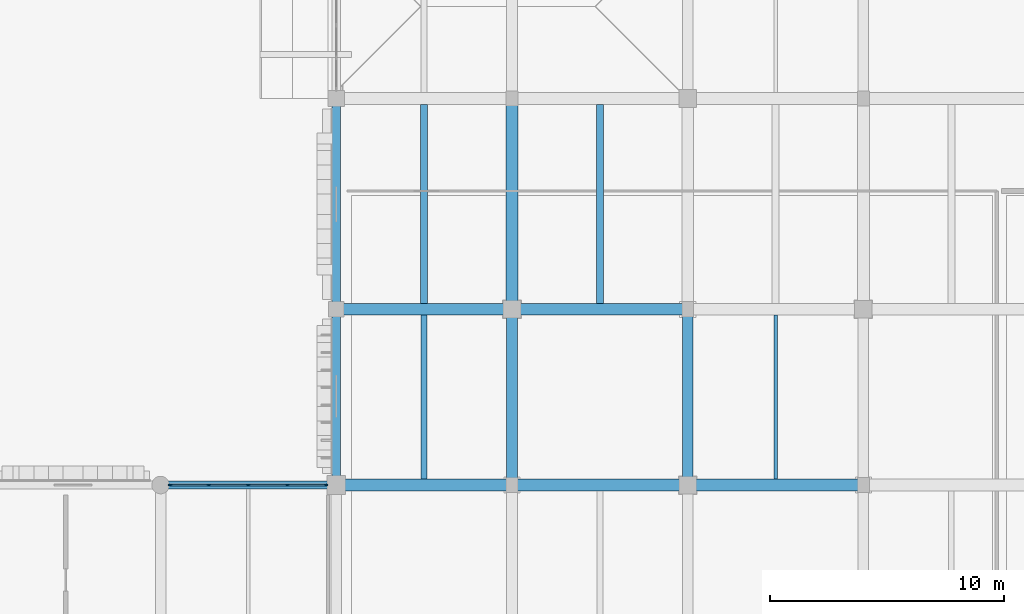
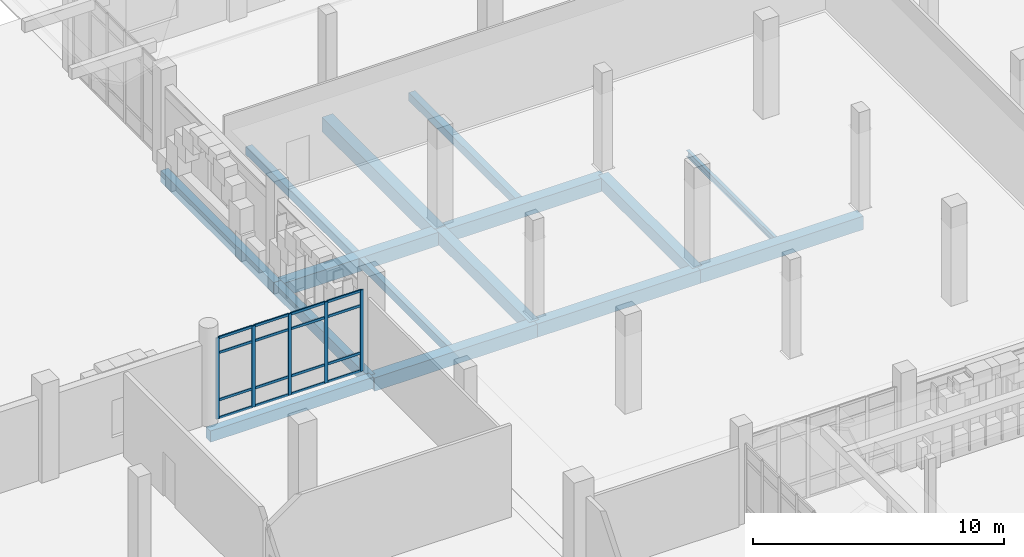
# One storey, part 45 of 125: 21 members, 15 beams, 1 element without a shape of its own.
"""IFC4 building model written with IfcOpenShell, lengths in metres."""

from ifc_helpers import new_model, si_unit, direction, frame, origin, origin_2d, place, context, subcontext, project, spatial, rectangle, i_section, extrude, material, layer, layer_set, material_profile, profile_set, type_object, element, aggregate, save


model = new_model("IFC4")

# Units and contexts
model_context = context("Model", 3, precision=1e-05, world=origin(), true_north=direction((0.0, 1.0)))
body_context = subcontext(model_context, "Body", "Model", "MODEL_VIEW")
ifc_project = project(units=[si_unit("LENGTHUNIT", "METRE"), si_unit("AREAUNIT", "SQUARE_METRE"), si_unit("VOLUMEUNIT", "CUBIC_METRE"), si_unit("PLANEANGLEUNIT", "RADIAN"), si_unit("MASSUNIT", "GRAM", prefix="KILO")], contexts=[model_context])

# Site, building, storey
site_placement = place(None, origin())
site = spatial("IfcSite", under=ifc_project, at=site_placement, CompositionType="ELEMENT")
building_placement = place(site_placement, origin())
building = spatial("IfcBuilding", under=site, at=building_placement, Name="Dalvernix Boulevard General Hospital", CompositionType="ELEMENT")
storey_placement = place(building_placement, origin())
storey = spatial("IfcBuildingStorey", under=building, at=storey_placement, Name="L00", CompositionType="ELEMENT", Elevation=0.0)

# Beams
ifc_material_1 = material(Name="Concrete C35/45", Category="concrete")
ifc_material_profile_1 = material_profile(ifc_material_1, rectangle(XDim=0.5, YDim=0.699951171875, at=origin_2d()), Name="RCB 500x700")
ifc_profile_set_1 = profile_set([ifc_material_profile_1], Name="Concrete C35/45")
beam_type_1 = type_object("IfcBeamType", Name="BM-B-01-I", PredefinedType="BEAM", material=ifc_profile_set_1)
beam_1_placement = place(storey_placement, frame((37.5, 100.5, -0.7099609375), z_axis=(0.0, 1.0, 0.0), x_axis=(-1.0, 0.0, 0.0)))
element("IfcBeam", 1, at=beam_1_placement, inside=storey, type_object=beam_type_1, Name="L00 N-S girder 6:P-Q", PredefinedType="BEAM", context=body_context, shape_type="SweptSolid", body=[
    extrude(rectangle(XDim=0.5, YDim=0.699951171875, at=origin_2d()), origin(), (0.0, 0.0, 1.0), 9.0),
])
ifc_material_profile_2 = material_profile(ifc_material_1, rectangle(XDim=0.5, YDim=0.64990234375, at=origin_2d()), Name="RCB 500x650")
ifc_profile_set_2 = profile_set([ifc_material_profile_2], Name="Concrete C35/45")
beam_type_2 = type_object("IfcBeamType", Name="BM-B-02-I", PredefinedType="BEAM", material=ifc_profile_set_2)
for number, where, z_axis, x_axis, name in (
    (2, (30.0, 93.0, -0.68505859375), (1.0, 0.0, 0.0), (0.0, 1.0, 0.0), "L00 E-W girder N:5-6"),
    (3, (37.5, 93.0, -0.68505859375), (1.0, 0.0, 0.0), (0.0, 1.0, 0.0), "L00 E-W girder N:6-7"),
    (4, (45.0, 93.0, -0.68505859375), (1.0, 0.0, 0.0), (0.0, 1.0, 0.0), "L00 E-W girder N:7-8"),
    (5, (30.0, 100.5, -0.68505859375), (1.0, 0.0, 0.0), (0.0, 1.0, 0.0), "L00 E-W girder P:5-6"),
    (6, (37.5, 100.5, -0.68505859375), (1.0, 0.0, 0.0), (0.0, 1.0, 0.0), "L00 E-W girder P:6-7"),
):
    element("IfcBeam", number, at=place(storey_placement, frame(where, z_axis=z_axis, x_axis=x_axis)), inside=storey, type_object=beam_type_2, Name=name, PredefinedType="BEAM", context=body_context, shape_type="SweptSolid", body=[
        extrude(rectangle(XDim=0.5, YDim=0.64990234375, at=origin_2d()), origin(), (0.0, 0.0, 1.0), 7.5),
    ])
ifc_material_profile_3 = material_profile(ifc_material_1, rectangle(XDim=0.449951171875, YDim=0.60009765625, at=origin_2d()), Name="RCB 450x600")
ifc_profile_set_3 = profile_set([ifc_material_profile_3], Name="Concrete C35/45")
beam_type_3 = type_object("IfcBeamType", Name="BM-B-04-I", PredefinedType="BEAM", material=ifc_profile_set_3)
for number, where, z_axis, x_axis, name in (
    (7, (37.5, 93.0, -0.659912109375), (0.0, 1.0, 0.0), (-1.0, 0.0, 0.0), "L00 N-S girder 6:N-P"),
    (8, (45.0, 93.0, -0.659912109375), (0.0, 1.0, 0.0), (-1.0, 0.0, 0.0), "L00 N-S girder 7:N-P"),
):
    element("IfcBeam", number, at=place(storey_placement, frame(where, z_axis=z_axis, x_axis=x_axis)), inside=storey, type_object=beam_type_3, Name=name, PredefinedType="BEAM", context=body_context, shape_type="SweptSolid", body=[
        extrude(rectangle(XDim=0.449951171875, YDim=0.60009765625, at=origin_2d()), origin(), (0.0, 0.0, 1.0), 7.5),
    ])
ifc_material_profile_4 = material_profile(ifc_material_1, rectangle(XDim=0.300048828125, YDim=0.39990234375, at=origin_2d()), Name="RCB 300x400")
ifc_profile_set_4 = profile_set([ifc_material_profile_4], Name="Concrete C35/45")
beam_type_4 = type_object("IfcBeamType", Name="BM-JB-01", PredefinedType="JOIST", material=ifc_profile_set_4)
for number, where, z_axis, x_axis, name in (
    (9, (33.75, 100.75, -0.56005859375), (0.0, 1.0, 0.0), (-1.0, 0.0, 0.0), "L00 secondary floor beam 5-P"),
    (10, (41.25, 100.75, -0.56005859375), (0.0, 1.0, 0.0), (-1.0, 0.0, 0.0), "L00 secondary floor beam 6-P"),
):
    element("IfcBeam", number, at=place(storey_placement, frame(where, z_axis=z_axis, x_axis=x_axis)), inside=storey, type_object=beam_type_4, Name=name, PredefinedType="JOIST", context=body_context, shape_type="SweptSolid", body=[
        extrude(rectangle(XDim=0.300048828125, YDim=0.39990234375, at=origin_2d()), origin(), (0.0, 0.0, 1.0), 8.5),
    ])
ifc_material_profile_5 = material_profile(ifc_material_1, rectangle(XDim=0.25, YDim=0.39990234375, at=origin_2d()), Name="RCB 250x400")
ifc_profile_set_5 = profile_set([ifc_material_profile_5], Name="Concrete C35/45")
beam_type_5 = type_object("IfcBeamType", Name="BM-JB-02", PredefinedType="JOIST", material=ifc_profile_set_5)
beam_2_placement = place(storey_placement, frame((33.75, 93.25, -0.56005859375), z_axis=(0.0, 1.0, 0.0), x_axis=(-1.0, 0.0, 0.0)))
element("IfcBeam", 11, at=beam_2_placement, inside=storey, type_object=beam_type_5, Name="L00 secondary floor beam 5-N", PredefinedType="JOIST", context=body_context, shape_type="SweptSolid", body=[
    extrude(rectangle(XDim=0.25, YDim=0.39990234375, at=origin_2d()), origin(), (0.0, 0.0, 1.0), 7.0),
])
ifc_material_2 = material(Name="Steel S355", Category="steel")
ifc_material_profile_6 = material_profile(ifc_material_2, i_section(OverallWidth=0.14990234375, OverallDepth=0.300048828125, WebThickness=0.007080078125, FlangeThickness=0.0107421875, FilletRadius=0.014892578125, at=origin_2d()), Name="IPE 300")
ifc_profile_set_6 = profile_set([ifc_material_profile_6], Name="Steel S355")
beam_type_6 = type_object("IfcBeamType", Name="BM-JB-03", PredefinedType="JOIST", material=ifc_profile_set_6)
beam_3_placement = place(storey_placement, frame((48.75, 93.25, -0.510009765625), z_axis=(0.0, 1.0, 0.0), x_axis=(-1.0, 0.0, 0.0)))
element("IfcBeam", 12, at=beam_3_placement, inside=storey, type_object=beam_type_6, Name="L00 secondary floor beam 7-N", PredefinedType="JOIST", context=body_context, shape_type="SweptSolid", body=[
    extrude(i_section(OverallWidth=0.14990234375, OverallDepth=0.300048828125, WebThickness=0.007080078125, FlangeThickness=0.0107421875, FilletRadius=0.014892578125, at=origin_2d()), origin(), (0.0, 0.0, 1.0), 7.0),
])
ifc_material_profile_7 = material_profile(ifc_material_1, rectangle(XDim=0.35009765625, YDim=0.550048828125, at=origin_2d()), Name="RCB 350x550")
ifc_profile_set_7 = profile_set([ifc_material_profile_7], Name="Concrete C35/45")
beam_type_7 = type_object("IfcBeamType", Name="BM-SB-01-E", PredefinedType="SPANDREL", material=ifc_profile_set_7)
for number, where, z_axis, x_axis, name in (
    (13, (22.5, 93.0, -0.635009765625), (1.0, 0.0, 0.0), (0.0, 1.0, 0.0), "L00 E-W girder N:4-5"),
    (14, (30.0, 93.0, -0.635009765625), (0.0, 1.0, 0.0), (-1.0, 0.0, 0.0), "L00 N-S girder 5:N-P"),
):
    element("IfcBeam", number, at=place(storey_placement, frame(where, z_axis=z_axis, x_axis=x_axis)), inside=storey, type_object=beam_type_7, Name=name, PredefinedType="SPANDREL", context=body_context, shape_type="SweptSolid", body=[
        extrude(rectangle(XDim=0.35009765625, YDim=0.550048828125, at=origin_2d()), origin(), (0.0, 0.0, 1.0), 7.5),
    ])
beam_4_placement = place(storey_placement, frame((30.0, 100.5, -0.635009765625), z_axis=(0.0, 1.0, 0.0), x_axis=(-1.0, 0.0, 0.0)))
element("IfcBeam", 15, at=beam_4_placement, inside=storey, type_object=beam_type_7, Name="L00 N-S girder 5:P-Q", PredefinedType="SPANDREL", context=body_context, shape_type="SweptSolid", body=[
    extrude(rectangle(XDim=0.35009765625, YDim=0.550048828125, at=origin_2d()), origin(), (0.0, 0.0, 1.0), 9.0),
])

# Curtain wall, members
ifc_material_3 = material(Name="Thermally broken aluminium and solar-control glass curtain wall", Category="aluminium")
ifc_layer = layer(ifc_material_3, 0.159912109375)
ifc_layer_set = layer_set([ifc_layer], Name="Thermally broken aluminium and solar-control glass curtain wall (CW-CW-A-67x40)")
curtain_wall_type = type_object("IfcCurtainWallType", Name="CW-CW-A-67x40", PredefinedType="USERDEFINED", material=ifc_layer_set)
curtain_wall_placement = place(storey_placement, origin())
curtain_wall = element("IfcCurtainWall", 16, at=curtain_wall_placement, inside=storey, type_object=curtain_wall_type, Name="L00 curtain wall CW-A-67x40 3-12", ObjectType="GLAZED FACADE", PredefinedType="USERDEFINED")
ifc_material_4 = material(Name="Aluminium EN AW-6060", Category="aluminium")
ifc_material_profile_8 = material_profile(ifc_material_4, rectangle(XDim=0.06005859375, YDim=0.159912109375, at=origin_2d()), Name="ALU MULL 60x160")
ifc_profile_set_8 = profile_set([ifc_material_profile_8], Name="Aluminium EN AW-6060")
member_type_1 = type_object("IfcMemberType", Name="MEM-CW-M1", PredefinedType="MULLION", material=ifc_profile_set_8)
member_1_placement = place(storey_placement, frame((22.9150390625, 93.0, 0.0), z_axis=(0.0, 0.0, 1.0), x_axis=(0.0, 1.0, 0.0)))
member_1 = element("IfcMember", 17, at=member_1_placement, type_object=member_type_1, Name="CW-A-67x40 mullion 1", PredefinedType="MULLION", context=body_context, shape_type="SweptSolid", body=[
    extrude(rectangle(XDim=0.06005859375, YDim=0.159912109375, at=origin_2d()), origin(), (0.0, 0.0, 1.0), 3.949951171875),
])
member_2_placement = place(storey_placement, frame((24.561279296875, 93.0, 0.0), z_axis=(0.0, 0.0, 1.0), x_axis=(0.0, 1.0, 0.0)))
member_2 = element("IfcMember", 18, at=member_2_placement, type_object=member_type_1, Name="CW-A-67x40 mullion 2", PredefinedType="MULLION", context=body_context, shape_type="SweptSolid", body=[
    extrude(rectangle(XDim=0.06005859375, YDim=0.159912109375, at=origin_2d()), origin(), (0.0, 0.0, 1.0), 3.949951171875),
])
member_3_placement = place(storey_placement, frame((26.237548828125, 93.0, 0.0), z_axis=(0.0, 0.0, 1.0), x_axis=(0.0, 1.0, 0.0)))
member_3 = element("IfcMember", 19, at=member_3_placement, type_object=member_type_1, Name="CW-A-67x40 mullion 3", PredefinedType="MULLION", context=body_context, shape_type="SweptSolid", body=[
    extrude(rectangle(XDim=0.06005859375, YDim=0.159912109375, at=origin_2d()), origin(), (0.0, 0.0, 1.0), 3.949951171875),
])
member_4_placement = place(storey_placement, frame((27.913818359375, 93.0, 0.0), z_axis=(0.0, 0.0, 1.0), x_axis=(0.0, 1.0, 0.0)))
member_4 = element("IfcMember", 20, at=member_4_placement, type_object=member_type_1, Name="CW-A-67x40 mullion 4", PredefinedType="MULLION", context=body_context, shape_type="SweptSolid", body=[
    extrude(rectangle(XDim=0.06005859375, YDim=0.159912109375, at=origin_2d()), origin(), (0.0, 0.0, 1.0), 3.949951171875),
])
member_5_placement = place(storey_placement, frame((29.56005859375, 93.0, 0.0), z_axis=(0.0, 0.0, 1.0), x_axis=(0.0, 1.0, 0.0)))
member_5 = element("IfcMember", 21, at=member_5_placement, type_object=member_type_1, Name="CW-A-67x40 mullion 5", PredefinedType="MULLION", context=body_context, shape_type="SweptSolid", body=[
    extrude(rectangle(XDim=0.06005859375, YDim=0.159912109375, at=origin_2d()), origin(), (0.0, 0.0, 1.0), 3.949951171875),
])
ifc_material_profile_9 = material_profile(ifc_material_4, rectangle(XDim=0.06005859375, YDim=0.1201171875, at=origin_2d()), Name="ALU TRAN 60x120")
ifc_profile_set_9 = profile_set([ifc_material_profile_9], Name="Aluminium EN AW-6060")
member_type_2 = type_object("IfcMemberType", Name="MEM-CW-T1", PredefinedType="USERDEFINED", material=ifc_profile_set_9)
member_6_placement = place(storey_placement, frame((22.945068359375, 93.0, 0.030029296875), z_axis=(1.0, 0.0, 0.0), x_axis=(0.0, 1.0, 0.0)))
member_6 = element("IfcMember", 22, at=member_6_placement, type_object=member_type_2, Name="CW-A-67x40 transom 1.1", ObjectType="TRANSOM", PredefinedType="USERDEFINED", context=body_context, shape_type="SweptSolid", body=[
    extrude(rectangle(XDim=0.06005859375, YDim=0.1201171875, at=origin_2d()), origin(), (0.0, 0.0, 1.0), 1.586181640625),
])
member_7_placement = place(storey_placement, frame((22.945068359375, 93.0, 0.89990234375), z_axis=(1.0, 0.0, 0.0), x_axis=(0.0, 1.0, 0.0)))
member_7 = element("IfcMember", 23, at=member_7_placement, type_object=member_type_2, Name="CW-A-67x40 transom 1.2", ObjectType="TRANSOM", PredefinedType="USERDEFINED", context=body_context, shape_type="SweptSolid", body=[
    extrude(rectangle(XDim=0.06005859375, YDim=0.1201171875, at=origin_2d()), origin(), (0.0, 0.0, 1.0), 1.586181640625),
])
member_8_placement = place(storey_placement, frame((22.945068359375, 93.0, 3.199951171875), z_axis=(1.0, 0.0, 0.0), x_axis=(0.0, 1.0, 0.0)))
member_8 = element("IfcMember", 24, at=member_8_placement, type_object=member_type_2, Name="CW-A-67x40 transom 1.3", ObjectType="TRANSOM", PredefinedType="USERDEFINED", context=body_context, shape_type="SweptSolid", body=[
    extrude(rectangle(XDim=0.06005859375, YDim=0.1201171875, at=origin_2d()), origin(), (0.0, 0.0, 1.0), 1.586181640625),
])
member_9_placement = place(storey_placement, frame((22.945068359375, 93.0, 3.919921875), z_axis=(1.0, 0.0, 0.0), x_axis=(0.0, 1.0, 0.0)))
member_9 = element("IfcMember", 25, at=member_9_placement, type_object=member_type_2, Name="CW-A-67x40 transom 1.4", ObjectType="TRANSOM", PredefinedType="USERDEFINED", context=body_context, shape_type="SweptSolid", body=[
    extrude(rectangle(XDim=0.06005859375, YDim=0.1201171875, at=origin_2d()), origin(), (0.0, 0.0, 1.0), 1.586181640625),
])
member_10_placement = place(storey_placement, frame((24.59130859375, 93.0, 0.030029296875), z_axis=(1.0, 0.0, 0.0), x_axis=(0.0, 1.0, 0.0)))
member_10 = element("IfcMember", 26, at=member_10_placement, type_object=member_type_2, Name="CW-A-67x40 transom 2.1", ObjectType="TRANSOM", PredefinedType="USERDEFINED", context=body_context, shape_type="SweptSolid", body=[
    extrude(rectangle(XDim=0.06005859375, YDim=0.1201171875, at=origin_2d()), origin(), (0.0, 0.0, 1.0), 1.6162109375),
])
member_11_placement = place(storey_placement, frame((24.59130859375, 93.0, 0.89990234375), z_axis=(1.0, 0.0, 0.0), x_axis=(0.0, 1.0, 0.0)))
member_11 = element("IfcMember", 27, at=member_11_placement, type_object=member_type_2, Name="CW-A-67x40 transom 2.2", ObjectType="TRANSOM", PredefinedType="USERDEFINED", context=body_context, shape_type="SweptSolid", body=[
    extrude(rectangle(XDim=0.06005859375, YDim=0.1201171875, at=origin_2d()), origin(), (0.0, 0.0, 1.0), 1.6162109375),
])
member_12_placement = place(storey_placement, frame((24.59130859375, 93.0, 3.199951171875), z_axis=(1.0, 0.0, 0.0), x_axis=(0.0, 1.0, 0.0)))
member_12 = element("IfcMember", 28, at=member_12_placement, type_object=member_type_2, Name="CW-A-67x40 transom 2.3", ObjectType="TRANSOM", PredefinedType="USERDEFINED", context=body_context, shape_type="SweptSolid", body=[
    extrude(rectangle(XDim=0.06005859375, YDim=0.1201171875, at=origin_2d()), origin(), (0.0, 0.0, 1.0), 1.6162109375),
])
member_13_placement = place(storey_placement, frame((24.59130859375, 93.0, 3.919921875), z_axis=(1.0, 0.0, 0.0), x_axis=(0.0, 1.0, 0.0)))
member_13 = element("IfcMember", 29, at=member_13_placement, type_object=member_type_2, Name="CW-A-67x40 transom 2.4", ObjectType="TRANSOM", PredefinedType="USERDEFINED", context=body_context, shape_type="SweptSolid", body=[
    extrude(rectangle(XDim=0.06005859375, YDim=0.1201171875, at=origin_2d()), origin(), (0.0, 0.0, 1.0), 1.6162109375),
])
member_14_placement = place(storey_placement, frame((26.267578125, 93.0, 0.030029296875), z_axis=(1.0, 0.0, 0.0), x_axis=(0.0, 1.0, 0.0)))
member_14 = element("IfcMember", 30, at=member_14_placement, type_object=member_type_2, Name="CW-A-67x40 transom 3.1", ObjectType="TRANSOM", PredefinedType="USERDEFINED", context=body_context, shape_type="SweptSolid", body=[
    extrude(rectangle(XDim=0.06005859375, YDim=0.1201171875, at=origin_2d()), origin(), (0.0, 0.0, 1.0), 1.6162109375),
])
member_15_placement = place(storey_placement, frame((26.267578125, 93.0, 0.89990234375), z_axis=(1.0, 0.0, 0.0), x_axis=(0.0, 1.0, 0.0)))
member_15 = element("IfcMember", 31, at=member_15_placement, type_object=member_type_2, Name="CW-A-67x40 transom 3.2", ObjectType="TRANSOM", PredefinedType="USERDEFINED", context=body_context, shape_type="SweptSolid", body=[
    extrude(rectangle(XDim=0.06005859375, YDim=0.1201171875, at=origin_2d()), origin(), (0.0, 0.0, 1.0), 1.6162109375),
])
member_16_placement = place(storey_placement, frame((26.267578125, 93.0, 3.199951171875), z_axis=(1.0, 0.0, 0.0), x_axis=(0.0, 1.0, 0.0)))
member_16 = element("IfcMember", 32, at=member_16_placement, type_object=member_type_2, Name="CW-A-67x40 transom 3.3", ObjectType="TRANSOM", PredefinedType="USERDEFINED", context=body_context, shape_type="SweptSolid", body=[
    extrude(rectangle(XDim=0.06005859375, YDim=0.1201171875, at=origin_2d()), origin(), (0.0, 0.0, 1.0), 1.6162109375),
])
member_17_placement = place(storey_placement, frame((26.267578125, 93.0, 3.919921875), z_axis=(1.0, 0.0, 0.0), x_axis=(0.0, 1.0, 0.0)))
member_17 = element("IfcMember", 33, at=member_17_placement, type_object=member_type_2, Name="CW-A-67x40 transom 3.4", ObjectType="TRANSOM", PredefinedType="USERDEFINED", context=body_context, shape_type="SweptSolid", body=[
    extrude(rectangle(XDim=0.06005859375, YDim=0.1201171875, at=origin_2d()), origin(), (0.0, 0.0, 1.0), 1.6162109375),
])
member_18_placement = place(storey_placement, frame((27.94384765625, 93.0, 0.030029296875), z_axis=(1.0, 0.0, 0.0), x_axis=(0.0, 1.0, 0.0)))
member_18 = element("IfcMember", 34, at=member_18_placement, type_object=member_type_2, Name="CW-A-67x40 transom 4.1", ObjectType="TRANSOM", PredefinedType="USERDEFINED", context=body_context, shape_type="SweptSolid", body=[
    extrude(rectangle(XDim=0.06005859375, YDim=0.1201171875, at=origin_2d()), origin(), (0.0, 0.0, 1.0), 1.586181640625),
])
member_19_placement = place(storey_placement, frame((27.94384765625, 93.0, 0.89990234375), z_axis=(1.0, 0.0, 0.0), x_axis=(0.0, 1.0, 0.0)))
member_19 = element("IfcMember", 35, at=member_19_placement, type_object=member_type_2, Name="CW-A-67x40 transom 4.2", ObjectType="TRANSOM", PredefinedType="USERDEFINED", context=body_context, shape_type="SweptSolid", body=[
    extrude(rectangle(XDim=0.06005859375, YDim=0.1201171875, at=origin_2d()), origin(), (0.0, 0.0, 1.0), 1.586181640625),
])
member_20_placement = place(storey_placement, frame((27.94384765625, 93.0, 3.199951171875), z_axis=(1.0, 0.0, 0.0), x_axis=(0.0, 1.0, 0.0)))
member_20 = element("IfcMember", 36, at=member_20_placement, type_object=member_type_2, Name="CW-A-67x40 transom 4.3", ObjectType="TRANSOM", PredefinedType="USERDEFINED", context=body_context, shape_type="SweptSolid", body=[
    extrude(rectangle(XDim=0.06005859375, YDim=0.1201171875, at=origin_2d()), origin(), (0.0, 0.0, 1.0), 1.586181640625),
])
member_21_placement = place(storey_placement, frame((27.94384765625, 93.0, 3.919921875), z_axis=(1.0, 0.0, 0.0), x_axis=(0.0, 1.0, 0.0)))
member_21 = element("IfcMember", 37, at=member_21_placement, type_object=member_type_2, Name="CW-A-67x40 transom 4.4", ObjectType="TRANSOM", PredefinedType="USERDEFINED", context=body_context, shape_type="SweptSolid", body=[
    extrude(rectangle(XDim=0.06005859375, YDim=0.1201171875, at=origin_2d()), origin(), (0.0, 0.0, 1.0), 1.586181640625),
])
aggregate(curtain_wall, [member_1, member_2, member_3, member_4, member_5, member_6, member_7, member_8, member_9, member_10, member_11, member_12, member_13, member_14, member_15, member_16, member_17, member_18, member_19, member_20, member_21])

save(model, "model.ifc")
